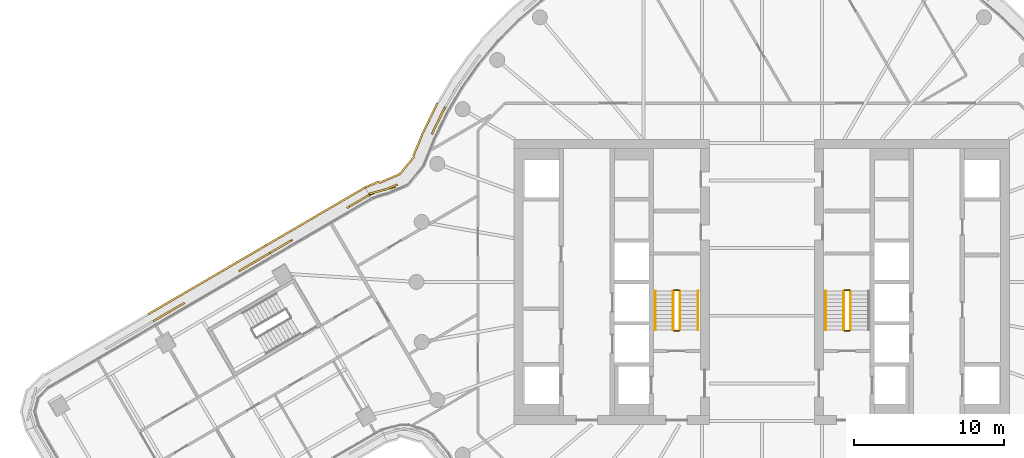
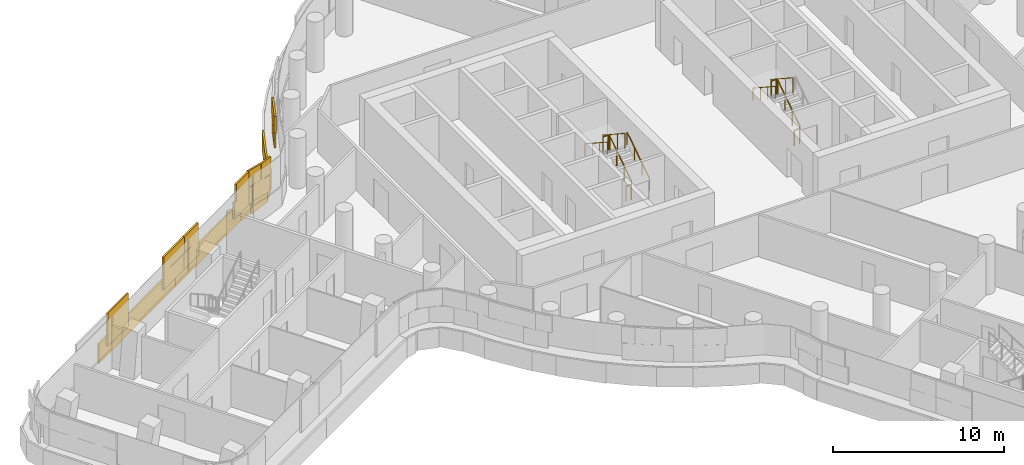
# One storey, part 30 of 35: 11 railings, 3 coverings.
"""IFC4 building model written with IfcOpenShell, lengths in metres."""

from ifc_helpers import new_model, si_unit, direction, frame, origin, origin_2d, place, context, subcontext, project, spatial, rectangle, circle, extrude, material, layer, layer_set, type_object, element, save


model = new_model("IFC4")

# Units and contexts
model_context = context("Model", 3, precision=1e-05, world=origin(), true_north=direction((0.0, 1.0)))
body_context = subcontext(model_context, "Body", "Model", "MODEL_VIEW")
ifc_project = project(units=[si_unit("LENGTHUNIT", "METRE"), si_unit("AREAUNIT", "SQUARE_METRE"), si_unit("VOLUMEUNIT", "CUBIC_METRE"), si_unit("PLANEANGLEUNIT", "RADIAN"), si_unit("MASSUNIT", "GRAM", prefix="KILO")], contexts=[model_context])

# Site, building, storey
site_placement = place(None, origin())
site = spatial("IfcSite", under=ifc_project, at=site_placement, CompositionType="ELEMENT")
building_placement = place(site_placement, origin())
building = spatial("IfcBuilding", under=site, at=building_placement, Name="Tamarind Cross Interchange Tower", CompositionType="ELEMENT")
storey_placement = place(building_placement, frame((0.0, 0.0, 144.25)))
storey = spatial("IfcBuildingStorey", under=building, at=storey_placement, Name="L35", CompositionType="ELEMENT", Elevation=144.25)

# Railings
ifc_material_1 = material(Name="Stair guard")
railing_type_1 = type_object("IfcRailingType", Name="Stair guard", PredefinedType="GUARDRAIL", material=ifc_material_1)
railing_1_placement = place(storey_placement, frame((-5.449951171875, -3.199951171875, 0.17041015625)))
element("IfcRailing", 1, at=railing_1_placement, inside=storey, type_object=railing_type_1, Name="L35 ST1 stair guard 1", PredefinedType="GUARDRAIL", context=body_context, shape_type="SweptSolid", body=[
    extrude(circle(Radius=0.02392578125, at=origin_2d()), frame((0.0, 0.0, 1.076171875), z_axis=(0.0, 0.836278606002, 0.548304744775), x_axis=(-1.0, 0.0, 0.0)), (0.0, 0.0, 1.0), 3.10888671875),
    extrude(circle(Radius=0.02099609375, at=origin_2d()), origin(), (0.0, 0.0, 1.0), 1.052001953125),
    extrude(circle(Radius=0.02099609375, at=origin_2d()), frame((0.0, 0.86669921875, 0.568115234375)), (0.0, 0.0, 1.0), 1.052001953125),
    extrude(circle(Radius=0.02099609375, at=origin_2d()), frame((0.0, 1.733154296875, 1.136474609375)), (0.0, 0.0, 1.0), 1.052001953125),
    extrude(circle(Radius=0.02099609375, at=origin_2d()), frame((0.0, 2.599853515625, 1.70458984375)), (0.0, 0.0, 1.0), 1.052001953125),
])
railing_2_placement = place(storey_placement, frame((-5.5, -0.550048828125, 1.875)))
element("IfcRailing", 2, at=railing_2_placement, inside=storey, type_object=railing_type_1, Name="L35 ST1 stair guard 2", PredefinedType="GUARDRAIL", context=body_context, shape_type="SweptSolid", body=[
    extrude(circle(Radius=0.02392578125, at=origin_2d()), frame((0.0, 0.0, 1.076171875), z_axis=(-1.0, 0.0, 0.0), x_axis=(0.0, -1.0, 0.0)), (0.0, 0.0, 1.0), 0.35009765625),
    extrude(circle(Radius=0.02099609375, at=origin_2d()), origin(), (0.0, 0.0, 1.0), 1.052001953125),
    extrude(circle(Radius=0.02099609375, at=origin_2d()), frame((-0.35009765625, 0.0, 0.0)), (0.0, 0.0, 1.0), 1.052001953125),
])
railing_3_placement = place(storey_placement, frame((-5.89990234375, -0.60009765625, 2.04541015625)))
element("IfcRailing", 3, at=railing_3_placement, inside=storey, type_object=railing_type_1, Name="L35 ST1 stair guard 3", PredefinedType="GUARDRAIL", context=body_context, shape_type="SweptSolid", body=[
    extrude(circle(Radius=0.02392578125, at=origin_2d()), frame((0.0, 0.0, 1.076171875), z_axis=(0.0, -0.836278606002, 0.548304744775), x_axis=(1.0, 0.0, 0.0)), (0.0, 0.0, 1.0), 3.10888671875),
    extrude(circle(Radius=0.02099609375, at=origin_2d()), origin(), (0.0, 0.0, 1.0), 1.052001953125),
    extrude(circle(Radius=0.02099609375, at=origin_2d()), frame((0.0, -0.86669921875, 0.568115234375)), (0.0, 0.0, 1.0), 1.052001953125),
    extrude(circle(Radius=0.02099609375, at=origin_2d()), frame((0.0, -1.733154296875, 1.136474609375)), (0.0, 0.0, 1.0), 1.052001953125),
    extrude(circle(Radius=0.02099609375, at=origin_2d()), frame((0.0, -2.599853515625, 1.70458984375)), (0.0, 0.0, 1.0), 1.052001953125),
])
railing_4_placement = place(storey_placement, frame((-5.5, -3.25, 0.0)))
element("IfcRailing", 4, at=railing_4_placement, inside=storey, type_object=railing_type_1, Name="L35 ST1 stair guard 4", PredefinedType="GUARDRAIL", context=body_context, shape_type="SweptSolid", body=[
    extrude(circle(Radius=0.02392578125, at=origin_2d()), frame((0.0, 0.0, 1.076171875), z_axis=(-1.0, 0.0, 0.0), x_axis=(0.0, -1.0, 0.0)), (0.0, 0.0, 1.0), 0.35009765625),
    extrude(circle(Radius=0.02099609375, at=origin_2d()), origin(), (0.0, 0.0, 1.0), 1.052001953125),
    extrude(circle(Radius=0.02099609375, at=origin_2d()), frame((-0.35009765625, 0.0, 0.0)), (0.0, 0.0, 1.0), 1.052001953125),
])
railing_5_placement = place(storey_placement, frame((5.89990234375, -3.199951171875, 0.17041015625)))
element("IfcRailing", 5, at=railing_5_placement, inside=storey, type_object=railing_type_1, Name="L35 ST2 stair guard 1", PredefinedType="GUARDRAIL", context=body_context, shape_type="SweptSolid", body=[
    extrude(circle(Radius=0.02392578125, at=origin_2d()), frame((0.0, 0.0, 1.076171875), z_axis=(0.0, 0.836278606002, 0.548304744775), x_axis=(-1.0, 0.0, 0.0)), (0.0, 0.0, 1.0), 3.10888671875),
    extrude(circle(Radius=0.02099609375, at=origin_2d()), origin(), (0.0, 0.0, 1.0), 1.052001953125),
    extrude(circle(Radius=0.02099609375, at=origin_2d()), frame((0.0, 0.86669921875, 0.568115234375)), (0.0, 0.0, 1.0), 1.052001953125),
    extrude(circle(Radius=0.02099609375, at=origin_2d()), frame((0.0, 1.733154296875, 1.136474609375)), (0.0, 0.0, 1.0), 1.052001953125),
    extrude(circle(Radius=0.02099609375, at=origin_2d()), frame((0.0, 2.599853515625, 1.70458984375)), (0.0, 0.0, 1.0), 1.052001953125),
])
railing_6_placement = place(storey_placement, frame((5.85009765625, -0.550048828125, 1.875)))
element("IfcRailing", 6, at=railing_6_placement, inside=storey, type_object=railing_type_1, Name="L35 ST2 stair guard 2", PredefinedType="GUARDRAIL", context=body_context, shape_type="SweptSolid", body=[
    extrude(circle(Radius=0.02392578125, at=origin_2d()), frame((0.0, 0.0, 1.076171875), z_axis=(-1.0, 0.0, 0.0), x_axis=(0.0, -1.0, 0.0)), (0.0, 0.0, 1.0), 0.35009765625),
    extrude(circle(Radius=0.02099609375, at=origin_2d()), origin(), (0.0, 0.0, 1.0), 1.052001953125),
    extrude(circle(Radius=0.02099609375, at=origin_2d()), frame((-0.35009765625, 0.0, 0.0)), (0.0, 0.0, 1.0), 1.052001953125),
])
railing_7_placement = place(storey_placement, frame((5.449951171875, -0.60009765625, 2.04541015625)))
element("IfcRailing", 7, at=railing_7_placement, inside=storey, type_object=railing_type_1, Name="L35 ST2 stair guard 3", PredefinedType="GUARDRAIL", context=body_context, shape_type="SweptSolid", body=[
    extrude(circle(Radius=0.02392578125, at=origin_2d()), frame((0.0, 0.0, 1.076171875), z_axis=(0.0, -0.836278606002, 0.548304744775), x_axis=(1.0, 0.0, 0.0)), (0.0, 0.0, 1.0), 3.10888671875),
    extrude(circle(Radius=0.02099609375, at=origin_2d()), origin(), (0.0, 0.0, 1.0), 1.052001953125),
    extrude(circle(Radius=0.02099609375, at=origin_2d()), frame((0.0, -0.86669921875, 0.568115234375)), (0.0, 0.0, 1.0), 1.052001953125),
    extrude(circle(Radius=0.02099609375, at=origin_2d()), frame((0.0, -1.733154296875, 1.136474609375)), (0.0, 0.0, 1.0), 1.052001953125),
    extrude(circle(Radius=0.02099609375, at=origin_2d()), frame((0.0, -2.599853515625, 1.70458984375)), (0.0, 0.0, 1.0), 1.052001953125),
])
railing_8_placement = place(storey_placement, frame((5.85009765625, -3.25, 0.0)))
element("IfcRailing", 8, at=railing_8_placement, inside=storey, type_object=railing_type_1, Name="L35 ST2 stair guard 4", PredefinedType="GUARDRAIL", context=body_context, shape_type="SweptSolid", body=[
    extrude(circle(Radius=0.02392578125, at=origin_2d()), frame((0.0, 0.0, 1.076171875), z_axis=(-1.0, 0.0, 0.0), x_axis=(0.0, -1.0, 0.0)), (0.0, 0.0, 1.0), 0.35009765625),
    extrude(circle(Radius=0.02099609375, at=origin_2d()), origin(), (0.0, 0.0, 1.0), 1.052001953125),
    extrude(circle(Radius=0.02099609375, at=origin_2d()), frame((-0.35009765625, 0.0, 0.0)), (0.0, 0.0, 1.0), 1.052001953125),
])
ifc_material_2 = material(Name="Stair handrail")
railing_type_2 = type_object("IfcRailingType", Name="Stair handrail", PredefinedType="HANDRAIL", material=ifc_material_2)
railing_9_placement = place(storey_placement, frame((-4.25, -3.199951171875, 0.17041015625)))
element("IfcRailing", 9, at=railing_9_placement, inside=storey, type_object=railing_type_2, Name="L35 ST1 stair handrail 1", PredefinedType="HANDRAIL", context=body_context, shape_type="SweptSolid", body=[
    extrude(circle(Radius=0.02392578125, at=origin_2d()), frame((0.0, 0.0, 0.8759765625), z_axis=(0.0, 0.836278606002, 0.548304744775), x_axis=(-1.0, 0.0, 0.0)), (0.0, 0.0, 1.0), 3.10888671875),
    extrude(circle(Radius=0.02099609375, at=origin_2d()), origin(), (0.0, 0.0, 1.0), 0.851806640625),
    extrude(circle(Radius=0.02099609375, at=origin_2d()), frame((0.0, 0.86669921875, 0.568115234375)), (0.0, 0.0, 1.0), 0.851806640625),
    extrude(circle(Radius=0.02099609375, at=origin_2d()), frame((0.0, 1.733154296875, 1.136474609375)), (0.0, 0.0, 1.0), 0.851806640625),
    extrude(circle(Radius=0.02099609375, at=origin_2d()), frame((0.0, 2.599853515625, 1.70458984375)), (0.0, 0.0, 1.0), 0.851806640625),
])
for number, where, name in (
    (10, (-7.10009765625, -0.60009765625, 2.04541015625), "L35 ST1 stair handrail 2"),
    (11, (4.25, -0.60009765625, 2.04541015625), "L35 ST2 stair handrail 2"),
):
    element("IfcRailing", number, at=place(storey_placement, frame(where)), inside=storey, type_object=railing_type_2, Name=name, PredefinedType="HANDRAIL", context=body_context, shape_type="SweptSolid", body=[
        extrude(circle(Radius=0.02392578125, at=origin_2d()), frame((0.0, 0.0, 0.8759765625), z_axis=(0.0, -0.836278606002, 0.548304744775), x_axis=(1.0, 0.0, 0.0)), (0.0, 0.0, 1.0), 3.10888671875),
        extrude(circle(Radius=0.02099609375, at=origin_2d()), origin(), (0.0, 0.0, 1.0), 0.851806640625),
        extrude(circle(Radius=0.02099609375, at=origin_2d()), frame((0.0, -0.86669921875, 0.568115234375)), (0.0, 0.0, 1.0), 0.851806640625),
        extrude(circle(Radius=0.02099609375, at=origin_2d()), frame((0.0, -1.733154296875, 1.136474609375)), (0.0, 0.0, 1.0), 0.851806640625),
        extrude(circle(Radius=0.02099609375, at=origin_2d()), frame((0.0, -2.599853515625, 1.70458984375)), (0.0, 0.0, 1.0), 0.851806640625),
    ])

# Coverings
ifc_material_3 = material(Name="Terracotta", Category="masonry")
ifc_layer = layer(ifc_material_3, 0.1201171875)
ifc_layer_set = layer_set([ifc_layer], Name="Terracotta")
covering_type = type_object("IfcCoveringType", Name="Terracotta baguette screen unit", PredefinedType="MOLDING", material=ifc_layer_set)
covering_1_placement = place(storey_placement, origin())
element("IfcCovering", 12, at=covering_1_placement, inside=storey, type_object=covering_type, Name="SCR-L35-14-01", PredefinedType="MOLDING", context=body_context, shape_type="SweptSolid", body=[
    extrude(rectangle(XDim=0.376708984375, YDim=0.1201171875, at=origin_2d()), frame((-21.171142578125, 11.475830078125, 1.404052734375), z_axis=(0.0, 0.0, 1.0), x_axis=(-0.508183308752, -0.861248933065, 0.0)), (0.0, 0.0, 1.0), 1.1669921875),
    extrude(rectangle(XDim=1.52001953125, YDim=0.1201171875, at=origin_2d()), frame((-21.586181640625, 10.64013671875, 1.404052734375), z_axis=(0.0, 0.0, 1.0), x_axis=(-0.435326231914, -0.900272776334, 0.0)), (0.0, 0.0, 1.0), 1.1669921875),
    extrude(rectangle(XDim=1.52001953125, YDim=0.1201171875, at=origin_2d()), frame((-25.112060546875, 6.14599609375, 1.404052734375), z_axis=(0.0, 0.0, 1.0), x_axis=(-0.964561102727, -0.263859582177, 0.0)), (0.0, 0.0, 1.0), 1.1669921875),
    extrude(rectangle(XDim=0.349609375, YDim=0.1201171875, at=origin_2d()), frame((-25.983642578125, 5.858154296875, 1.404052734375), z_axis=(0.0, 0.0, 1.0), x_axis=(-0.921868562237, -0.387502714777, 0.0)), (0.0, 0.0, 1.0), 1.1669921875),
    extrude(rectangle(XDim=1.126708984375, YDim=0.1201171875, at=origin_2d()), frame((-21.34326171875, 11.142822265625, 2.5791015625), z_axis=(0.0, 0.0, 1.0), x_axis=(-0.435326231914, -0.900272776334, 0.0)), (0.0, 0.0, 1.0), 1.1669921875),
    extrude(rectangle(XDim=0.896484375, YDim=0.1201171875, at=origin_2d()), frame((-21.779296875, 10.2412109375, 2.5791015625), z_axis=(0.0, 0.0, 1.0), x_axis=(-0.435326231914, -0.900272776334, 0.0)), (0.0, 0.0, 1.0), 1.1669921875),
    extrude(rectangle(XDim=0.92333984375, YDim=0.1201171875, at=origin_2d()), frame((-24.686279296875, 6.30859375, 2.5791015625), z_axis=(0.0, 0.0, 1.0), x_axis=(-0.918267007233, -0.395961744904, 0.0)), (0.0, 0.0, 1.0), 1.1669921875),
    extrude(rectangle(XDim=1.099609375, YDim=0.1201171875, at=origin_2d()), frame((-25.637451171875, 6.002197265625, 2.5791015625), z_axis=(0.0, 0.0, 1.0), x_axis=(-0.964561102727, -0.263859582177, 0.0)), (0.0, 0.0, 1.0), 1.1669921875),
    extrude(rectangle(XDim=0.895263671875, YDim=0.1201171875, at=origin_2d()), frame((-21.79833984375, 11.520263671875, 0.00390625), z_axis=(0.0, 0.0, 1.0), x_axis=(-0.435326231914, -0.900272776334, 0.0)), (0.0, 0.0, 1.0), 1.39208984375),
    extrude(rectangle(XDim=1.52001953125, YDim=0.1201171875, at=origin_2d()), frame((-22.315185546875, 10.451171875, 0.00390625), z_axis=(0.0, 0.0, 1.0), x_axis=(-0.435326231914, -0.900272776334, 0.0)), (0.0, 0.0, 1.0), 1.39208984375),
    extrude(rectangle(XDim=1.52001953125, YDim=0.1201171875, at=origin_2d()), frame((-22.9228515625, 9.08056640625, 0.00390625), z_axis=(0.0, 0.0, 1.0), x_axis=(-0.378105205414, -0.925762633529, 0.0)), (0.0, 0.0, 1.0), 1.39208984375),
    extrude(rectangle(XDim=1.52001953125, YDim=0.1201171875, at=origin_2d()), frame((-23.623046875, 7.771240234375, 0.00390625), z_axis=(0.0, 0.0, 1.0), x_axis=(-0.635369060979, -0.772208622298, 0.0)), (0.0, 0.0, 1.0), 1.39208984375),
    extrude(rectangle(XDim=1.52001953125, YDim=0.1201171875, at=origin_2d()), frame((-24.78515625, 6.89111328125, 0.00390625), z_axis=(0.0, 0.0, 1.0), x_axis=(-0.918267007233, -0.395961744904, 0.0)), (0.0, 0.0, 1.0), 1.39208984375),
    extrude(rectangle(XDim=0.978515625, YDim=0.1201171875, at=origin_2d()), frame((-25.9462890625, 6.49658203125, 0.00390625), z_axis=(0.0, 0.0, 1.0), x_axis=(-0.921868562237, -0.387502714777, 0.0)), (0.0, 0.0, 1.0), 1.39208984375),
])
covering_2_placement = place(storey_placement, origin())
element("IfcCovering", 13, at=covering_2_placement, inside=storey, type_object=covering_type, Name="SCR-L35-15-00", PredefinedType="MOLDING", context=body_context, shape_type="SweptSolid", body=[
    extrude(rectangle(XDim=0.760009765625, YDim=0.1201171875, at=origin_2d()), frame((-26.464111328125, 5.603271484375, 1.404052734375), z_axis=(0.0, 0.0, 1.0), x_axis=(-0.863402595057, -0.50451556849, 0.0)), (0.0, 0.0, 1.0), 1.1669921875),
    extrude(rectangle(XDim=0.983642578125, YDim=0.1201171875, at=origin_2d()), frame((-27.208251953125, 5.16845703125, 1.404052734375), z_axis=(0.0, 0.0, 1.0), x_axis=(-0.863402595057, -0.50451556849, 0.0)), (0.0, 0.0, 1.0), 1.1669921875),
    extrude(rectangle(XDim=0.83642578125, YDim=0.1201171875, at=origin_2d()), frame((-31.611572265625, 2.595458984375, 1.404052734375), z_axis=(0.0, 0.0, 1.0), x_axis=(-0.863402595057, -0.50451556849, 0.0)), (0.0, 0.0, 1.0), 1.1669921875),
    extrude(rectangle(XDim=0.9072265625, YDim=0.1201171875, at=origin_2d()), frame((-32.35546875, 2.16064453125, 1.404052734375), z_axis=(0.0, 0.0, 1.0), x_axis=(-0.863402595057, -0.50451556849, 0.0)), (0.0, 0.0, 1.0), 1.1669921875),
    extrude(rectangle(XDim=1.510009765625, YDim=0.1201171875, at=origin_2d()), frame((-26.787841796875, 5.4140625, 2.5791015625), z_axis=(0.0, 0.0, 1.0), x_axis=(-0.863402595057, -0.50451556849, 0.0)), (0.0, 0.0, 1.0), 1.1669921875),
    extrude(rectangle(XDim=1.52001953125, YDim=0.1201171875, at=origin_2d()), frame((-31.96826171875, 2.386962890625, 2.5791015625), z_axis=(0.0, 0.0, 1.0), x_axis=(-0.863402595057, -0.50451556849, 0.0)), (0.0, 0.0, 1.0), 1.1669921875),
    extrude(rectangle(XDim=0.1572265625, YDim=0.1201171875, at=origin_2d()), frame((-32.679443359375, 1.971435546875, 2.5791015625), z_axis=(0.0, 0.0, 1.0), x_axis=(-0.863402595057, -0.50451556849, 0.0)), (0.0, 0.0, 1.0), 1.1669921875),
    extrude(rectangle(XDim=0.760009765625, YDim=0.1201171875, at=origin_2d()), frame((-26.7255859375, 6.115234375, 0.00390625), z_axis=(0.0, 0.0, 1.0), x_axis=(-0.863402595057, -0.50451556849, 0.0)), (0.0, 0.0, 1.0), 1.39208984375),
    extrude(rectangle(XDim=1.52001953125, YDim=0.1201171875, at=origin_2d()), frame((-27.6923828125, 5.55029296875, 0.00390625), z_axis=(0.0, 0.0, 1.0), x_axis=(-0.863402595057, -0.50451556849, 0.0)), (0.0, 0.0, 1.0), 1.39208984375),
    extrude(rectangle(XDim=1.52001953125, YDim=0.1201171875, at=origin_2d()), frame((-28.987548828125, 4.79345703125, 0.00390625), z_axis=(0.0, 0.0, 1.0), x_axis=(-0.863402595057, -0.50451556849, 0.0)), (0.0, 0.0, 1.0), 1.39208984375),
    extrude(rectangle(XDim=1.52001953125, YDim=0.1201171875, at=origin_2d()), frame((-30.28271484375, 4.03662109375, 0.00390625), z_axis=(0.0, 0.0, 1.0), x_axis=(-0.863402595057, -0.50451556849, 0.0)), (0.0, 0.0, 1.0), 1.39208984375),
    extrude(rectangle(XDim=1.52001953125, YDim=0.1201171875, at=origin_2d()), frame((-31.577880859375, 3.27978515625, 0.00390625), z_axis=(0.0, 0.0, 1.0), x_axis=(-0.863402595057, -0.50451556849, 0.0)), (0.0, 0.0, 1.0), 1.39208984375),
    extrude(rectangle(XDim=0.94189453125, YDim=0.1201171875, at=origin_2d()), frame((-32.623291015625, 2.6689453125, 0.00390625), z_axis=(0.0, 0.0, 1.0), x_axis=(-0.863402595057, -0.50451556849, 0.0)), (0.0, 0.0, 1.0), 1.39208984375),
])
covering_3_placement = place(storey_placement, origin())
element("IfcCovering", 14, at=covering_3_placement, inside=storey, type_object=covering_type, Name="SCR-L35-15-01", PredefinedType="MOLDING", context=body_context, shape_type="SweptSolid", body=[
    extrude(rectangle(XDim=0.61279296875, YDim=0.1201171875, at=origin_2d()), frame((-33.003173828125, 1.7822265625, 1.404052734375), z_axis=(0.0, 0.0, 1.0), x_axis=(-0.863402595057, -0.50451556849, 0.0)), (0.0, 0.0, 1.0), 1.1669921875),
    extrude(rectangle(XDim=1.52001953125, YDim=0.1201171875, at=origin_2d()), frame((-33.910888671875, 1.251708984375, 1.404052734375), z_axis=(0.0, 0.0, 1.0), x_axis=(-0.863402595057, -0.50451556849, 0.0)), (0.0, 0.0, 1.0), 1.1669921875),
    extrude(rectangle(XDim=0.310546875, YDim=0.1201171875, at=origin_2d()), frame((-34.688232421875, 0.797607421875, 1.404052734375), z_axis=(0.0, 0.0, 1.0), x_axis=(-0.863402595057, -0.50451556849, 0.0)), (0.0, 0.0, 1.0), 1.1669921875),
    extrude(rectangle(XDim=1.509521484375, YDim=0.1201171875, at=origin_2d()), frame((-39.091552734375, -1.775390625, 1.404052734375), z_axis=(0.0, 0.0, 1.0), x_axis=(-0.863402595057, -0.50451556849, 0.0)), (0.0, 0.0, 1.0), 1.1669921875),
    extrude(rectangle(XDim=0.91357421875, YDim=0.1201171875, at=origin_2d()), frame((-40.12890625, -2.381591796875, 1.404052734375), z_axis=(0.0, 0.0, 1.0), x_axis=(-0.863402595057, -0.50451556849, 0.0)), (0.0, 0.0, 1.0), 1.1669921875),
    extrude(rectangle(XDim=1.36279296875, YDim=0.1201171875, at=origin_2d()), frame((-33.326904296875, 1.593017578125, 2.5791015625), z_axis=(0.0, 0.0, 1.0), x_axis=(-0.863402595057, -0.50451556849, 0.0)), (0.0, 0.0, 1.0), 1.1669921875),
    extrude(rectangle(XDim=1.060546875, YDim=0.1201171875, at=origin_2d()), frame((-34.3642578125, 0.98681640625, 2.5791015625), z_axis=(0.0, 0.0, 1.0), x_axis=(-0.863402595057, -0.50451556849, 0.0)), (0.0, 0.0, 1.0), 1.1669921875),
    extrude(rectangle(XDim=0.759521484375, YDim=0.1201171875, at=origin_2d()), frame((-38.767822265625, -1.586181640625, 2.5791015625), z_axis=(0.0, 0.0, 1.0), x_axis=(-0.863402595057, -0.50451556849, 0.0)), (0.0, 0.0, 1.0), 1.1669921875),
    extrude(rectangle(XDim=1.52001953125, YDim=0.1201171875, at=origin_2d()), frame((-39.73876953125, -2.15380859375, 2.5791015625), z_axis=(0.0, 0.0, 1.0), x_axis=(-0.863402595057, -0.50451556849, 0.0)), (0.0, 0.0, 1.0), 1.1669921875),
    extrude(rectangle(XDim=0.16357421875, YDim=0.1201171875, at=origin_2d()), frame((-40.45263671875, -2.57080078125, 2.5791015625), z_axis=(0.0, 0.0, 1.0), x_axis=(-0.863402595057, -0.50451556849, 0.0)), (0.0, 0.0, 1.0), 1.1669921875),
    extrude(rectangle(XDim=0.578125, YDim=0.1201171875, at=origin_2d()), frame((-33.279541015625, 2.285400390625, 0.00390625), z_axis=(0.0, 0.0, 1.0), x_axis=(-0.863402595057, -0.50451556849, 0.0)), (0.0, 0.0, 1.0), 1.39208984375),
    extrude(rectangle(XDim=1.52001953125, YDim=0.1201171875, at=origin_2d()), frame((-34.16796875, 1.766357421875, 0.00390625), z_axis=(0.0, 0.0, 1.0), x_axis=(-0.863402595057, -0.50451556849, 0.0)), (0.0, 0.0, 1.0), 1.39208984375),
    extrude(rectangle(XDim=1.52001953125, YDim=0.1201171875, at=origin_2d()), frame((-35.463134765625, 1.009521484375, 0.00390625), z_axis=(0.0, 0.0, 1.0), x_axis=(-0.863402595057, -0.50451556849, 0.0)), (0.0, 0.0, 1.0), 1.39208984375),
    extrude(rectangle(XDim=1.52001953125, YDim=0.1201171875, at=origin_2d()), frame((-36.75830078125, 0.252685546875, 0.00390625), z_axis=(0.0, 0.0, 1.0), x_axis=(-0.863402595057, -0.50451556849, 0.0)), (0.0, 0.0, 1.0), 1.39208984375),
    extrude(rectangle(XDim=1.52001953125, YDim=0.1201171875, at=origin_2d()), frame((-38.05322265625, -0.50390625, 0.00390625), z_axis=(0.0, 0.0, 1.0), x_axis=(-0.863402595057, -0.50451556849, 0.0)), (0.0, 0.0, 1.0), 1.39208984375),
    extrude(rectangle(XDim=1.52001953125, YDim=0.1201171875, at=origin_2d()), frame((-39.348388671875, -1.2607421875, 0.00390625), z_axis=(0.0, 0.0, 1.0), x_axis=(-0.863402595057, -0.50451556849, 0.0)), (0.0, 0.0, 1.0), 1.39208984375),
    extrude(rectangle(XDim=0.989013671875, YDim=0.1201171875, at=origin_2d()), frame((-40.414306640625, -1.883544921875, 0.00390625), z_axis=(0.0, 0.0, 1.0), x_axis=(-0.863402595057, -0.50451556849, 0.0)), (0.0, 0.0, 1.0), 1.39208984375),
])

save(model, "model.ifc")
